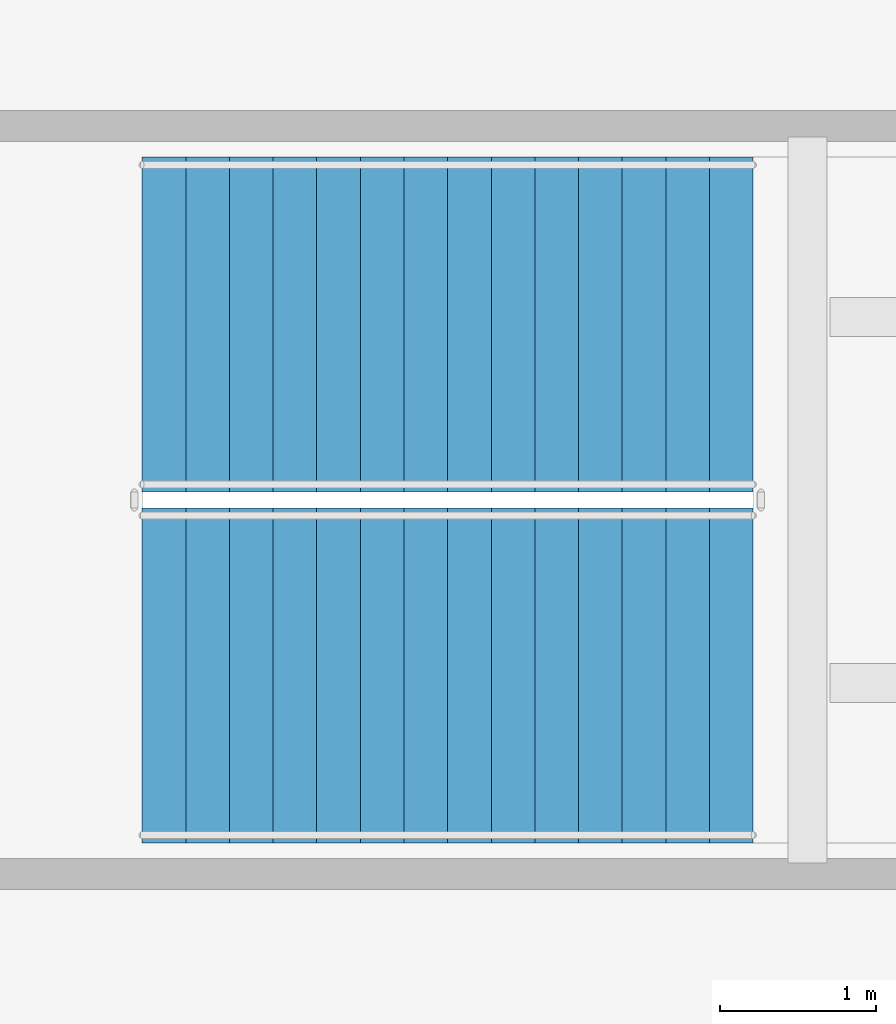
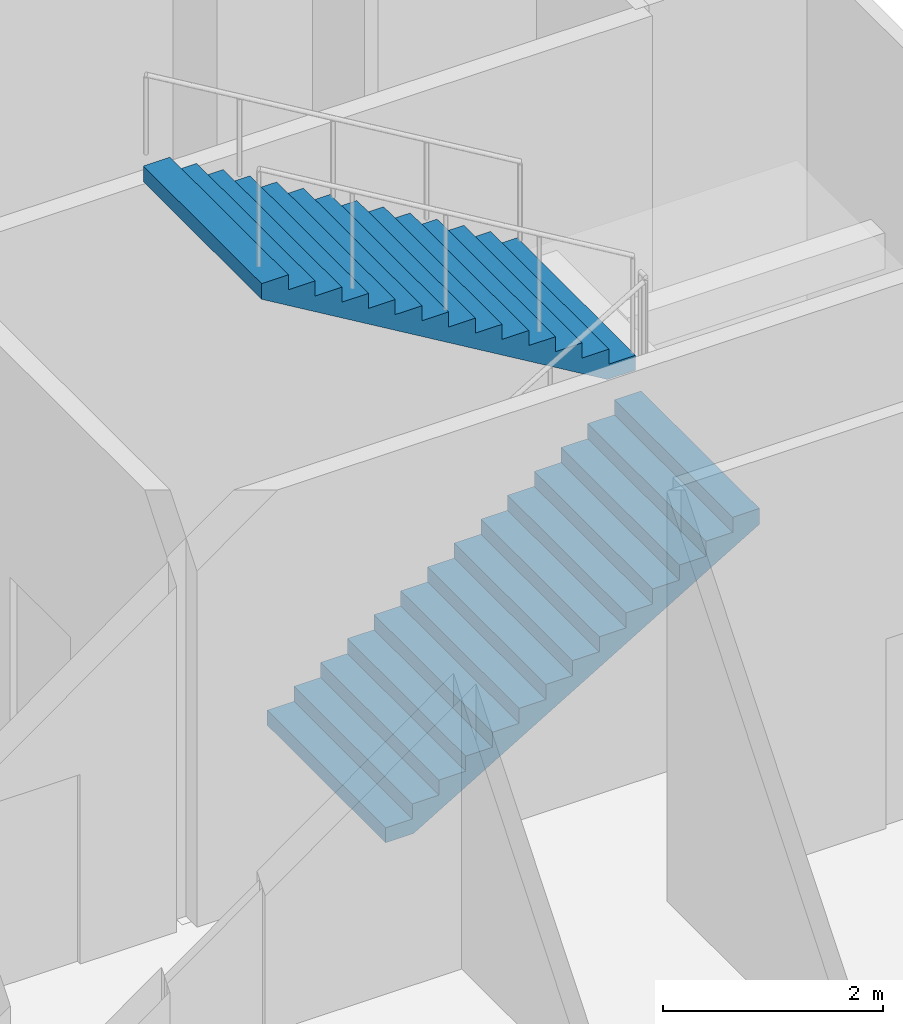
# One storey, part 16 of 24: 2 stair flights, 1 element without a shape of its own.
"""IFC4 building model written with IfcOpenShell, lengths in metres."""

from ifc_helpers import new_model, si_unit, direction, frame, origin, place, context, subcontext, project, spatial, triangles, material, type_object, element, aggregate, save


model = new_model("IFC4")

# Units and contexts
model_context = context("Model", 3, precision=1e-05, world=origin(), true_north=direction((0.0, 1.0)))
body_context = subcontext(model_context, "Body", "Model", "MODEL_VIEW")
ifc_project = project(units=[si_unit("LENGTHUNIT", "METRE"), si_unit("AREAUNIT", "SQUARE_METRE"), si_unit("VOLUMEUNIT", "CUBIC_METRE"), si_unit("PLANEANGLEUNIT", "RADIAN"), si_unit("MASSUNIT", "GRAM", prefix="KILO")], contexts=[model_context])

# Site, building, storey
site_placement = place(None, origin())
site = spatial("IfcSite", under=ifc_project, at=site_placement, CompositionType="ELEMENT")
building_placement = place(site_placement, origin())
building = spatial("IfcBuilding", under=site, at=building_placement, Name="Verdalira Terraces Hotel", CompositionType="ELEMENT")
storey_placement = place(building_placement, frame((0.0, 0.0, 14.0)))
storey = spatial("IfcBuildingStorey", under=building, at=storey_placement, Name="L02", CompositionType="ELEMENT", Elevation=14.0)

# Stair, stair flights
ifc_material_1 = material(Name="Concrete C40", Category="concrete")
stair_type = type_object("IfcStairType", Name="Podium stair 30 risers", PredefinedType="HALF_TURN_STAIR", material=ifc_material_1)
stair_placement = place(storey_placement, origin())
stair = element("IfcStair", 1, at=stair_placement, inside=storey, type_object=stair_type, Name="L02 Exit stair PS1", PredefinedType="HALF_TURN_STAIR")
ifc_material_2 = material(Name="Concrete C40", Category="concrete")
stair_flight_type = type_object("IfcStairFlightType", Name="Podium stair flight 30 risers", PredefinedType="STRAIGHT", material=ifc_material_2)
stair_flight_1_placement = place(storey_placement, frame((-0.75, 37.675049, 0.0), z_axis=(0.0, 0.0, 1.0), x_axis=(1.0, 0.0, 0.0)))
stair_flight_1 = element("IfcStairFlight", 2, at=stair_flight_1_placement, type_object=stair_flight_type, Name="PS1 flight 1", NumberOfRisers=15, NumberOfTreads=14, PredefinedType="STRAIGHT", RiserHeight=0.166666667, TreadLength=0.28, context=body_context, shape_type="Tessellation", body=[
    triangles([(0.0, 1.074951, 0.0), (0.292969, 1.074951, 0.0), (3.919922, 1.074951, 2.158936), (0.0, -1.074951, 0.0), (0.292969, -1.074951, 0.0), (3.919922, -1.074951, 2.158936), (3.919922, 1.074951, 2.333252), (3.639893, 1.074951, 2.333252), (3.919922, -1.074951, 2.333252), (3.639893, -1.074951, 2.333252), (3.639893, 1.074951, 2.166748), (3.639893, -1.074951, 2.166748), (3.360107, 1.074951, 2.166748), (3.360107, -1.074951, 2.166748), (3.360107, 1.074951, 2.0), (3.360107, -1.074951, 2.0), (3.080078, 1.074951, 2.0), (3.080078, 1.074951, 1.833252), (3.080078, -1.074951, 2.0), (3.080078, -1.074951, 1.833252), (2.800049, 1.074951, 1.833252), (2.800049, 1.074951, 1.666748), (2.800049, -1.074951, 1.833252), (2.800049, -1.074951, 1.666748), (2.52002, 1.074951, 1.666748), (2.52002, 1.074951, 1.5), (2.52002, -1.074951, 1.666748), (2.52002, -1.074951, 1.5), (2.23999, 1.074951, 1.5), (2.23999, 1.074951, 1.333252), (2.23999, -1.074951, 1.5), (2.23999, -1.074951, 1.333252), (1.959961, 1.074951, 1.333252), (1.959961, 1.074951, 1.166748), (1.959961, -1.074951, 1.333252), (1.959961, -1.074951, 1.166748), (1.679932, 1.074951, 1.166748), (1.679932, 1.074951, 1.0), (1.679932, -1.074951, 1.166748), (1.679932, -1.074951, 1.0), (1.399902, 1.074951, 1.0), (1.399902, 1.074951, 0.833252), (1.399902, -1.074951, 1.0), (1.399902, -1.074951, 0.833252), (1.120117, 1.074951, 0.833252), (1.120117, 1.074951, 0.666748), (1.120117, -1.074951, 0.833252), (1.120117, -1.074951, 0.666748), (0.840088, 1.074951, 0.666748), (0.840088, 1.074951, 0.5), (0.840088, -1.074951, 0.666748), (0.840088, -1.074951, 0.5), (0.560059, 1.074951, 0.5), (0.560059, 1.074951, 0.333252), (0.560059, -1.074951, 0.5), (0.560059, -1.074951, 0.333252), (0.280029, 1.074951, 0.333252), (0.280029, 1.074951, 0.166748), (0.280029, -1.074951, 0.333252), (0.280029, -1.074951, 0.166748), (0.0, 1.074951, 0.166748), (0.0, -1.074951, 0.166748), (0.0, -1.007767, 0.0), (0.0, -1.007767, 0.166748), (0.0, -0.940582, 0.0), (0.0, -0.940582, 0.166748), (0.0, -0.873398, 0.0), (0.0, -0.873398, 0.166748), (0.0, -0.806213, 0.0), (0.0, -0.806213, 0.166748), (0.0, -0.739029, 0.0), (0.0, -0.739029, 0.166748), (0.0, -0.671844, 0.0), (0.0, -0.671844, 0.166748), (0.0, -0.60466, 0.0), (0.0, -0.60466, 0.166748), (0.0, -0.537476, 0.0), (0.0, -0.537476, 0.166748), (0.0, -0.470291, 0.0), (0.0, -0.470291, 0.166748), (0.0, -0.403107, 0.0), (0.0, -0.403107, 0.166748), (0.0, -0.335922, 0.0), (0.0, -0.335922, 0.166748), (0.0, -0.268738, 0.0), (0.0, -0.268738, 0.166748), (0.0, -0.201553, 0.0), (0.0, -0.201553, 0.166748), (0.0, -0.134369, 0.0), (0.0, -0.134369, 0.166748), (0.0, -0.067184, 0.0), (0.0, -0.067184, 0.166748), (0.0, 0.0, 0.0), (0.0, 0.0, 0.166748), (0.0, 0.067184, 0.0), (0.0, 0.067184, 0.166748), (0.0, 0.134369, 0.0), (0.0, 0.134369, 0.166748), (0.0, 0.201553, 0.0), (0.0, 0.201553, 0.166748), (0.0, 0.268738, 0.0), (0.0, 0.268738, 0.166748), (0.0, 0.335922, 0.0), (0.0, 0.335922, 0.166748), (0.0, 0.403107, 0.0), (0.0, 0.403107, 0.166748), (0.0, 0.470291, 0.0), (0.0, 0.470291, 0.166748), (0.0, 0.537476, 0.0), (0.0, 0.537476, 0.166748), (0.0, 0.60466, 0.0), (0.0, 0.60466, 0.166748), (0.0, 0.671844, 0.0), (0.0, 0.671844, 0.166748), (0.0, 0.739029, 0.0), (0.0, 0.739029, 0.166748), (0.0, 0.806213, 0.0), (0.0, 0.806213, 0.166748), (0.0, 0.873398, 0.0), (0.0, 0.873398, 0.166748), (0.0, 0.940582, 0.0), (0.0, 0.940582, 0.166748), (0.0, 1.007767, 0.0), (0.0, 1.007767, 0.166748), (3.919922, -1.007767, 2.333252), (3.919922, -0.940582, 2.333252), (3.919922, -0.873398, 2.333252), (3.919922, -0.806213, 2.333252), (3.919922, -0.739029, 2.333252), (3.919922, -0.671844, 2.333252), (3.919922, -0.60466, 2.333252), (3.919922, -0.537476, 2.333252), (3.919922, -0.470291, 2.333252), (3.919922, -0.403107, 2.333252), (3.919922, -0.335922, 2.333252), (3.919922, -0.268738, 2.333252), (3.919922, -0.201553, 2.333252), (3.919922, -0.134369, 2.333252), (3.919922, -0.067184, 2.333252), (3.919922, 0.0, 2.333252), (3.919922, 0.067184, 2.333252), (3.919922, 0.134369, 2.333252), (3.919922, 0.201553, 2.333252), (3.919922, 0.268738, 2.333252), (3.919922, 0.335922, 2.333252), (3.919922, 0.403107, 2.333252), (3.919922, 0.470291, 2.333252), (3.919922, 0.537476, 2.333252), (3.919922, 0.60466, 2.333252), (3.919922, 0.671844, 2.333252), (3.919922, 0.739029, 2.333252), (3.919922, 0.806213, 2.333252), (3.919922, 0.873398, 2.333252), (3.919922, 0.940582, 2.333252), (3.919922, 1.007767, 2.333252), (3.919922, -1.007767, 2.158936), (3.919922, -0.940582, 2.158936), (3.919922, -0.873398, 2.158936), (3.919922, -0.806213, 2.158936), (3.919922, -0.739029, 2.158936), (3.919922, -0.671844, 2.158936), (3.919922, -0.60466, 2.158936), (3.919922, -0.537476, 2.158936), (3.919922, -0.470291, 2.158936), (3.919922, -0.403107, 2.158936), (3.919922, -0.335922, 2.158936), (3.919922, -0.268738, 2.158936), (3.919922, -0.201553, 2.158936), (3.919922, -0.134369, 2.158936), (3.919922, -0.067184, 2.158936), (3.919922, 0.0, 2.158936), (3.919922, 0.067184, 2.158936), (3.919922, 0.134369, 2.158936), (3.919922, 0.201553, 2.158936), (3.919922, 0.268738, 2.158936), (3.919922, 0.335922, 2.158936), (3.919922, 0.403107, 2.158936), (3.919922, 0.470291, 2.158936), (3.919922, 0.537476, 2.158936), (3.919922, 0.60466, 2.158936), (3.919922, 0.671844, 2.158936), (3.919922, 0.739029, 2.158936), (3.919922, 0.806213, 2.158936), (3.919922, 0.873398, 2.158936), (3.919922, 0.940582, 2.158936), (3.919922, 1.007767, 2.158936)], [[1, 3, 2], [4, 5, 6], [3, 8, 7], [6, 9, 10], [3, 11, 8], [6, 10, 12], [3, 13, 11], [6, 12, 14], [3, 15, 13], [6, 14, 16], [15, 18, 17], [16, 19, 20], [3, 18, 15], [6, 16, 20], [18, 22, 21], [20, 23, 24], [3, 22, 18], [6, 20, 24], [22, 26, 25], [24, 27, 28], [3, 26, 22], [6, 24, 28], [26, 30, 29], [28, 31, 32], [3, 30, 26], [6, 28, 32], [30, 34, 33], [32, 35, 36], [3, 34, 30], [6, 32, 36], [34, 38, 37], [36, 39, 40], [3, 38, 34], [6, 36, 40], [38, 42, 41], [40, 43, 44], [3, 42, 38], [6, 40, 44], [42, 46, 45], [44, 47, 48], [3, 46, 42], [6, 44, 48], [46, 50, 49], [48, 51, 52], [3, 50, 46], [6, 48, 52], [50, 54, 53], [52, 55, 56], [3, 54, 50], [6, 52, 56], [1, 54, 3], [4, 6, 56], [54, 58, 57], [56, 59, 60], [1, 58, 54], [4, 56, 60], [58, 1, 61], [60, 62, 4], [4, 64, 63], [4, 62, 64], [63, 66, 65], [63, 64, 66], [65, 68, 67], [65, 66, 68], [67, 70, 69], [67, 68, 70], [69, 72, 71], [69, 70, 72], [71, 74, 73], [71, 72, 74], [73, 76, 75], [73, 74, 76], [75, 78, 77], [75, 76, 78], [77, 80, 79], [77, 78, 80], [79, 82, 81], [79, 80, 82], [81, 84, 83], [81, 82, 84], [83, 86, 85], [83, 84, 86], [85, 88, 87], [85, 86, 88], [87, 90, 89], [87, 88, 90], [89, 92, 91], [89, 90, 92], [91, 94, 93], [91, 92, 94], [93, 96, 95], [93, 94, 96], [95, 98, 97], [95, 96, 98], [97, 100, 99], [97, 98, 100], [99, 102, 101], [99, 100, 102], [101, 104, 103], [101, 102, 104], [103, 106, 105], [103, 104, 106], [105, 108, 107], [105, 106, 108], [107, 110, 109], [107, 108, 110], [109, 112, 111], [109, 110, 112], [111, 114, 113], [111, 112, 114], [113, 116, 115], [113, 114, 116], [115, 118, 117], [115, 116, 118], [117, 120, 119], [117, 118, 120], [119, 122, 121], [119, 120, 122], [121, 124, 123], [121, 122, 124], [123, 61, 1], [123, 124, 61], [62, 60, 64], [64, 60, 66], [66, 60, 68], [68, 60, 70], [70, 60, 72], [72, 60, 74], [74, 60, 76], [76, 60, 78], [78, 60, 80], [80, 60, 82], [82, 60, 84], [84, 60, 86], [86, 60, 88], [88, 60, 90], [90, 60, 92], [92, 60, 94], [94, 60, 96], [96, 60, 98], [98, 60, 100], [100, 60, 102], [102, 60, 104], [104, 60, 106], [106, 60, 108], [108, 60, 110], [110, 60, 112], [112, 60, 114], [114, 60, 116], [116, 60, 118], [118, 60, 120], [120, 60, 122], [122, 60, 124], [124, 60, 61], [61, 60, 58], [60, 57, 58], [60, 59, 57], [59, 54, 57], [59, 56, 54], [56, 53, 54], [56, 55, 53], [55, 50, 53], [55, 52, 50], [52, 49, 50], [52, 51, 49], [51, 46, 49], [51, 48, 46], [48, 45, 46], [48, 47, 45], [47, 42, 45], [47, 44, 42], [44, 41, 42], [44, 43, 41], [43, 38, 41], [43, 40, 38], [40, 37, 38], [40, 39, 37], [39, 34, 37], [39, 36, 34], [36, 33, 34], [36, 35, 33], [35, 30, 33], [35, 32, 30], [32, 29, 30], [32, 31, 29], [31, 26, 29], [31, 28, 26], [28, 25, 26], [28, 27, 25], [27, 22, 25], [27, 24, 22], [24, 21, 22], [24, 23, 21], [23, 18, 21], [23, 20, 18], [20, 17, 18], [20, 19, 17], [19, 15, 17], [19, 16, 15], [16, 13, 15], [16, 14, 13], [14, 11, 13], [14, 12, 11], [12, 8, 11], [12, 10, 8], [9, 125, 10], [125, 126, 10], [126, 127, 10], [127, 128, 10], [128, 129, 10], [129, 130, 10], [130, 131, 10], [131, 132, 10], [132, 133, 10], [133, 134, 10], [134, 135, 10], [135, 136, 10], [136, 137, 10], [137, 138, 10], [138, 139, 10], [139, 140, 10], [140, 141, 10], [141, 142, 10], [142, 143, 10], [143, 144, 10], [144, 145, 10], [145, 146, 10], [146, 147, 10], [147, 148, 10], [148, 149, 10], [149, 150, 10], [150, 151, 10], [151, 152, 10], [152, 153, 10], [153, 154, 10], [154, 155, 10], [155, 7, 10], [7, 8, 10], [9, 156, 125], [9, 6, 156], [125, 157, 126], [125, 156, 157], [126, 158, 127], [126, 157, 158], [127, 159, 128], [127, 158, 159], [128, 160, 129], [128, 159, 160], [129, 161, 130], [129, 160, 161], [130, 162, 131], [130, 161, 162], [131, 163, 132], [131, 162, 163], [132, 164, 133], [132, 163, 164], [133, 165, 134], [133, 164, 165], [134, 166, 135], [134, 165, 166], [135, 167, 136], [135, 166, 167], [136, 168, 137], [136, 167, 168], [137, 169, 138], [137, 168, 169], [138, 170, 139], [138, 169, 170], [139, 171, 140], [139, 170, 171], [140, 172, 141], [140, 171, 172], [141, 173, 142], [141, 172, 173], [142, 174, 143], [142, 173, 174], [143, 175, 144], [143, 174, 175], [144, 176, 145], [144, 175, 176], [145, 177, 146], [145, 176, 177], [146, 178, 147], [146, 177, 178], [147, 179, 148], [147, 178, 179], [148, 180, 149], [148, 179, 180], [149, 181, 150], [149, 180, 181], [150, 182, 151], [150, 181, 182], [151, 183, 152], [151, 182, 183], [152, 184, 153], [152, 183, 184], [153, 185, 154], [153, 184, 185], [154, 186, 155], [154, 185, 186], [155, 3, 7], [155, 186, 3], [6, 5, 156], [156, 5, 157], [157, 5, 158], [158, 5, 159], [159, 5, 160], [160, 5, 161], [161, 5, 162], [162, 5, 163], [163, 5, 164], [164, 5, 165], [165, 5, 166], [166, 5, 167], [167, 5, 168], [168, 5, 169], [169, 5, 170], [170, 5, 171], [171, 5, 172], [172, 5, 173], [173, 5, 174], [174, 5, 175], [175, 5, 176], [176, 5, 177], [177, 5, 178], [178, 5, 179], [179, 5, 180], [180, 5, 181], [181, 5, 182], [182, 5, 183], [183, 5, 184], [184, 5, 185], [185, 5, 186], [186, 5, 3], [3, 5, 2], [4, 63, 5], [63, 65, 5], [65, 67, 5], [67, 69, 5], [69, 71, 5], [71, 73, 5], [73, 75, 5], [75, 77, 5], [77, 79, 5], [79, 81, 5], [81, 83, 5], [83, 85, 5], [85, 87, 5], [87, 89, 5], [89, 91, 5], [91, 93, 5], [93, 95, 5], [95, 97, 5], [97, 99, 5], [99, 101, 5], [101, 103, 5], [103, 105, 5], [105, 107, 5], [107, 109, 5], [109, 111, 5], [111, 113, 5], [113, 115, 5], [115, 117, 5], [117, 119, 5], [119, 121, 5], [121, 123, 5], [123, 1, 5], [1, 2, 5]], closed=True),
])
stair_flight_2_placement = place(storey_placement, frame((3.169922, 39.925049, 2.5), z_axis=(0.0, 0.0, 1.0), x_axis=(-1.0, 0.0, 0.0)))
stair_flight_2 = element("IfcStairFlight", 3, at=stair_flight_2_placement, type_object=stair_flight_type, Name="PS1 flight 2", NumberOfRisers=15, NumberOfTreads=14, PredefinedType="STRAIGHT", RiserHeight=0.166666667, TreadLength=0.28, context=body_context, shape_type="Tessellation", body=[
    triangles([(0.0, 1.074951, 0.0), (0.292969, 1.074951, 0.0), (3.919922, 1.074951, 2.158936), (0.0, -1.074951, 0.0), (0.292969, -1.074951, 0.0), (3.919922, -1.074951, 2.158936), (3.919922, 1.074951, 2.333252), (3.639893, 1.074951, 2.333252), (3.919922, -1.074951, 2.333252), (3.639893, -1.074951, 2.333252), (3.639893, 1.074951, 2.166748), (3.639893, -1.074951, 2.166748), (3.360107, 1.074951, 2.166748), (3.360107, -1.074951, 2.166748), (3.360107, 1.074951, 2.0), (3.360107, -1.074951, 2.0), (3.080078, 1.074951, 2.0), (3.080078, 1.074951, 1.833252), (3.080078, -1.074951, 2.0), (3.080078, -1.074951, 1.833252), (2.800049, 1.074951, 1.833252), (2.800049, 1.074951, 1.666748), (2.800049, -1.074951, 1.833252), (2.800049, -1.074951, 1.666748), (2.52002, 1.074951, 1.666748), (2.52002, 1.074951, 1.5), (2.52002, -1.074951, 1.666748), (2.52002, -1.074951, 1.5), (2.23999, 1.074951, 1.5), (2.23999, 1.074951, 1.333252), (2.23999, -1.074951, 1.5), (2.23999, -1.074951, 1.333252), (1.959961, 1.074951, 1.333252), (1.959961, 1.074951, 1.166748), (1.959961, -1.074951, 1.333252), (1.959961, -1.074951, 1.166748), (1.679932, 1.074951, 1.166748), (1.679932, 1.074951, 1.0), (1.679932, -1.074951, 1.166748), (1.679932, -1.074951, 1.0), (1.399902, 1.074951, 1.0), (1.399902, 1.074951, 0.833252), (1.399902, -1.074951, 1.0), (1.399902, -1.074951, 0.833252), (1.120117, 1.074951, 0.833252), (1.120117, 1.074951, 0.666748), (1.120117, -1.074951, 0.833252), (1.120117, -1.074951, 0.666748), (0.840088, 1.074951, 0.666748), (0.840088, 1.074951, 0.5), (0.840088, -1.074951, 0.666748), (0.840088, -1.074951, 0.5), (0.560059, 1.074951, 0.5), (0.560059, 1.074951, 0.333252), (0.560059, -1.074951, 0.5), (0.560059, -1.074951, 0.333252), (0.280029, 1.074951, 0.333252), (0.280029, 1.074951, 0.166748), (0.280029, -1.074951, 0.333252), (0.280029, -1.074951, 0.166748), (0.0, 1.074951, 0.166748), (0.0, -1.074951, 0.166748), (0.0, -1.007767, 0.0), (0.0, -1.007767, 0.166748), (0.0, -0.940582, 0.0), (0.0, -0.940582, 0.166748), (0.0, -0.873398, 0.0), (0.0, -0.873398, 0.166748), (0.0, -0.806213, 0.0), (0.0, -0.806213, 0.166748), (0.0, -0.739029, 0.0), (0.0, -0.739029, 0.166748), (0.0, -0.671844, 0.0), (0.0, -0.671844, 0.166748), (0.0, -0.60466, 0.0), (0.0, -0.60466, 0.166748), (0.0, -0.537476, 0.0), (0.0, -0.537476, 0.166748), (0.0, -0.470291, 0.0), (0.0, -0.470291, 0.166748), (0.0, -0.403107, 0.0), (0.0, -0.403107, 0.166748), (0.0, -0.335922, 0.0), (0.0, -0.335922, 0.166748), (0.0, -0.268738, 0.0), (0.0, -0.268738, 0.166748), (0.0, -0.201553, 0.0), (0.0, -0.201553, 0.166748), (0.0, -0.134369, 0.0), (0.0, -0.134369, 0.166748), (0.0, -0.067184, 0.0), (0.0, -0.067184, 0.166748), (0.0, 0.0, 0.0), (0.0, 0.0, 0.166748), (0.0, 0.067184, 0.0), (0.0, 0.067184, 0.166748), (0.0, 0.134369, 0.0), (0.0, 0.134369, 0.166748), (0.0, 0.201553, 0.0), (0.0, 0.201553, 0.166748), (0.0, 0.268738, 0.0), (0.0, 0.268738, 0.166748), (0.0, 0.335922, 0.0), (0.0, 0.335922, 0.166748), (0.0, 0.403107, 0.0), (0.0, 0.403107, 0.166748), (0.0, 0.470291, 0.0), (0.0, 0.470291, 0.166748), (0.0, 0.537476, 0.0), (0.0, 0.537476, 0.166748), (0.0, 0.60466, 0.0), (0.0, 0.60466, 0.166748), (0.0, 0.671844, 0.0), (0.0, 0.671844, 0.166748), (0.0, 0.739029, 0.0), (0.0, 0.739029, 0.166748), (0.0, 0.806213, 0.0), (0.0, 0.806213, 0.166748), (0.0, 0.873398, 0.0), (0.0, 0.873398, 0.166748), (0.0, 0.940582, 0.0), (0.0, 0.940582, 0.166748), (0.0, 1.007767, 0.0), (0.0, 1.007767, 0.166748), (3.919922, -1.007767, 2.333252), (3.919922, -0.940582, 2.333252), (3.919922, -0.873398, 2.333252), (3.919922, -0.806213, 2.333252), (3.919922, -0.739029, 2.333252), (3.919922, -0.671844, 2.333252), (3.919922, -0.60466, 2.333252), (3.919922, -0.537476, 2.333252), (3.919922, -0.470291, 2.333252), (3.919922, -0.403107, 2.333252), (3.919922, -0.335922, 2.333252), (3.919922, -0.268738, 2.333252), (3.919922, -0.201553, 2.333252), (3.919922, -0.134369, 2.333252), (3.919922, -0.067184, 2.333252), (3.919922, 0.0, 2.333252), (3.919922, 0.067184, 2.333252), (3.919922, 0.134369, 2.333252), (3.919922, 0.201553, 2.333252), (3.919922, 0.268738, 2.333252), (3.919922, 0.335922, 2.333252), (3.919922, 0.403107, 2.333252), (3.919922, 0.470291, 2.333252), (3.919922, 0.537476, 2.333252), (3.919922, 0.60466, 2.333252), (3.919922, 0.671844, 2.333252), (3.919922, 0.739029, 2.333252), (3.919922, 0.806213, 2.333252), (3.919922, 0.873398, 2.333252), (3.919922, 0.940582, 2.333252), (3.919922, 1.007767, 2.333252), (3.919922, -1.007767, 2.158936), (3.919922, -0.940582, 2.158936), (3.919922, -0.873398, 2.158936), (3.919922, -0.806213, 2.158936), (3.919922, -0.739029, 2.158936), (3.919922, -0.671844, 2.158936), (3.919922, -0.60466, 2.158936), (3.919922, -0.537476, 2.158936), (3.919922, -0.470291, 2.158936), (3.919922, -0.403107, 2.158936), (3.919922, -0.335922, 2.158936), (3.919922, -0.268738, 2.158936), (3.919922, -0.201553, 2.158936), (3.919922, -0.134369, 2.158936), (3.919922, -0.067184, 2.158936), (3.919922, 0.0, 2.158936), (3.919922, 0.067184, 2.158936), (3.919922, 0.134369, 2.158936), (3.919922, 0.201553, 2.158936), (3.919922, 0.268738, 2.158936), (3.919922, 0.335922, 2.158936), (3.919922, 0.403107, 2.158936), (3.919922, 0.470291, 2.158936), (3.919922, 0.537476, 2.158936), (3.919922, 0.60466, 2.158936), (3.919922, 0.671844, 2.158936), (3.919922, 0.739029, 2.158936), (3.919922, 0.806213, 2.158936), (3.919922, 0.873398, 2.158936), (3.919922, 0.940582, 2.158936), (3.919922, 1.007767, 2.158936)], [[1, 3, 2], [4, 5, 6], [3, 8, 7], [6, 9, 10], [3, 11, 8], [6, 10, 12], [3, 13, 11], [6, 12, 14], [3, 15, 13], [6, 14, 16], [15, 18, 17], [16, 19, 20], [3, 18, 15], [6, 16, 20], [18, 22, 21], [20, 23, 24], [3, 22, 18], [6, 20, 24], [22, 26, 25], [24, 27, 28], [3, 26, 22], [6, 24, 28], [26, 30, 29], [28, 31, 32], [3, 30, 26], [6, 28, 32], [30, 34, 33], [32, 35, 36], [3, 34, 30], [6, 32, 36], [34, 38, 37], [36, 39, 40], [3, 38, 34], [6, 36, 40], [38, 42, 41], [40, 43, 44], [3, 42, 38], [6, 40, 44], [42, 46, 45], [44, 47, 48], [3, 46, 42], [6, 44, 48], [46, 50, 49], [48, 51, 52], [3, 50, 46], [6, 48, 52], [50, 54, 53], [52, 55, 56], [3, 54, 50], [6, 52, 56], [1, 54, 3], [4, 6, 56], [54, 58, 57], [56, 59, 60], [1, 58, 54], [4, 56, 60], [58, 1, 61], [60, 62, 4], [4, 64, 63], [4, 62, 64], [63, 66, 65], [63, 64, 66], [65, 68, 67], [65, 66, 68], [67, 70, 69], [67, 68, 70], [69, 72, 71], [69, 70, 72], [71, 74, 73], [71, 72, 74], [73, 76, 75], [73, 74, 76], [75, 78, 77], [75, 76, 78], [77, 80, 79], [77, 78, 80], [79, 82, 81], [79, 80, 82], [81, 84, 83], [81, 82, 84], [83, 86, 85], [83, 84, 86], [85, 88, 87], [85, 86, 88], [87, 90, 89], [87, 88, 90], [89, 92, 91], [89, 90, 92], [91, 94, 93], [91, 92, 94], [93, 96, 95], [93, 94, 96], [95, 98, 97], [95, 96, 98], [97, 100, 99], [97, 98, 100], [99, 102, 101], [99, 100, 102], [101, 104, 103], [101, 102, 104], [103, 106, 105], [103, 104, 106], [105, 108, 107], [105, 106, 108], [107, 110, 109], [107, 108, 110], [109, 112, 111], [109, 110, 112], [111, 114, 113], [111, 112, 114], [113, 116, 115], [113, 114, 116], [115, 118, 117], [115, 116, 118], [117, 120, 119], [117, 118, 120], [119, 122, 121], [119, 120, 122], [121, 124, 123], [121, 122, 124], [123, 61, 1], [123, 124, 61], [62, 60, 64], [64, 60, 66], [66, 60, 68], [68, 60, 70], [70, 60, 72], [72, 60, 74], [74, 60, 76], [76, 60, 78], [78, 60, 80], [80, 60, 82], [82, 60, 84], [84, 60, 86], [86, 60, 88], [88, 60, 90], [90, 60, 92], [92, 60, 94], [94, 60, 96], [96, 60, 98], [98, 60, 100], [100, 60, 102], [102, 60, 104], [104, 60, 106], [106, 60, 108], [108, 60, 110], [110, 60, 112], [112, 60, 114], [114, 60, 116], [116, 60, 118], [118, 60, 120], [120, 60, 122], [122, 60, 124], [124, 60, 61], [61, 60, 58], [60, 57, 58], [60, 59, 57], [59, 54, 57], [59, 56, 54], [56, 53, 54], [56, 55, 53], [55, 50, 53], [55, 52, 50], [52, 49, 50], [52, 51, 49], [51, 46, 49], [51, 48, 46], [48, 45, 46], [48, 47, 45], [47, 42, 45], [47, 44, 42], [44, 41, 42], [44, 43, 41], [43, 38, 41], [43, 40, 38], [40, 37, 38], [40, 39, 37], [39, 34, 37], [39, 36, 34], [36, 33, 34], [36, 35, 33], [35, 30, 33], [35, 32, 30], [32, 29, 30], [32, 31, 29], [31, 26, 29], [31, 28, 26], [28, 25, 26], [28, 27, 25], [27, 22, 25], [27, 24, 22], [24, 21, 22], [24, 23, 21], [23, 18, 21], [23, 20, 18], [20, 17, 18], [20, 19, 17], [19, 15, 17], [19, 16, 15], [16, 13, 15], [16, 14, 13], [14, 11, 13], [14, 12, 11], [12, 8, 11], [12, 10, 8], [9, 125, 10], [125, 126, 10], [126, 127, 10], [127, 128, 10], [128, 129, 10], [129, 130, 10], [130, 131, 10], [131, 132, 10], [132, 133, 10], [133, 134, 10], [134, 135, 10], [135, 136, 10], [136, 137, 10], [137, 138, 10], [138, 139, 10], [139, 140, 10], [140, 141, 10], [141, 142, 10], [142, 143, 10], [143, 144, 10], [144, 145, 10], [145, 146, 10], [146, 147, 10], [147, 148, 10], [148, 149, 10], [149, 150, 10], [150, 151, 10], [151, 152, 10], [152, 153, 10], [153, 154, 10], [154, 155, 10], [155, 7, 10], [7, 8, 10], [9, 156, 125], [9, 6, 156], [125, 157, 126], [125, 156, 157], [126, 158, 127], [126, 157, 158], [127, 159, 128], [127, 158, 159], [128, 160, 129], [128, 159, 160], [129, 161, 130], [129, 160, 161], [130, 162, 131], [130, 161, 162], [131, 163, 132], [131, 162, 163], [132, 164, 133], [132, 163, 164], [133, 165, 134], [133, 164, 165], [134, 166, 135], [134, 165, 166], [135, 167, 136], [135, 166, 167], [136, 168, 137], [136, 167, 168], [137, 169, 138], [137, 168, 169], [138, 170, 139], [138, 169, 170], [139, 171, 140], [139, 170, 171], [140, 172, 141], [140, 171, 172], [141, 173, 142], [141, 172, 173], [142, 174, 143], [142, 173, 174], [143, 175, 144], [143, 174, 175], [144, 176, 145], [144, 175, 176], [145, 177, 146], [145, 176, 177], [146, 178, 147], [146, 177, 178], [147, 179, 148], [147, 178, 179], [148, 180, 149], [148, 179, 180], [149, 181, 150], [149, 180, 181], [150, 182, 151], [150, 181, 182], [151, 183, 152], [151, 182, 183], [152, 184, 153], [152, 183, 184], [153, 185, 154], [153, 184, 185], [154, 186, 155], [154, 185, 186], [155, 3, 7], [155, 186, 3], [6, 5, 156], [156, 5, 157], [157, 5, 158], [158, 5, 159], [159, 5, 160], [160, 5, 161], [161, 5, 162], [162, 5, 163], [163, 5, 164], [164, 5, 165], [165, 5, 166], [166, 5, 167], [167, 5, 168], [168, 5, 169], [169, 5, 170], [170, 5, 171], [171, 5, 172], [172, 5, 173], [173, 5, 174], [174, 5, 175], [175, 5, 176], [176, 5, 177], [177, 5, 178], [178, 5, 179], [179, 5, 180], [180, 5, 181], [181, 5, 182], [182, 5, 183], [183, 5, 184], [184, 5, 185], [185, 5, 186], [186, 5, 3], [3, 5, 2], [4, 63, 5], [63, 65, 5], [65, 67, 5], [67, 69, 5], [69, 71, 5], [71, 73, 5], [73, 75, 5], [75, 77, 5], [77, 79, 5], [79, 81, 5], [81, 83, 5], [83, 85, 5], [85, 87, 5], [87, 89, 5], [89, 91, 5], [91, 93, 5], [93, 95, 5], [95, 97, 5], [97, 99, 5], [99, 101, 5], [101, 103, 5], [103, 105, 5], [105, 107, 5], [107, 109, 5], [109, 111, 5], [111, 113, 5], [113, 115, 5], [115, 117, 5], [117, 119, 5], [119, 121, 5], [121, 123, 5], [123, 1, 5], [1, 2, 5]], closed=True),
])
aggregate(stair, [stair_flight_1, stair_flight_2])

save(model, "model.ifc")
